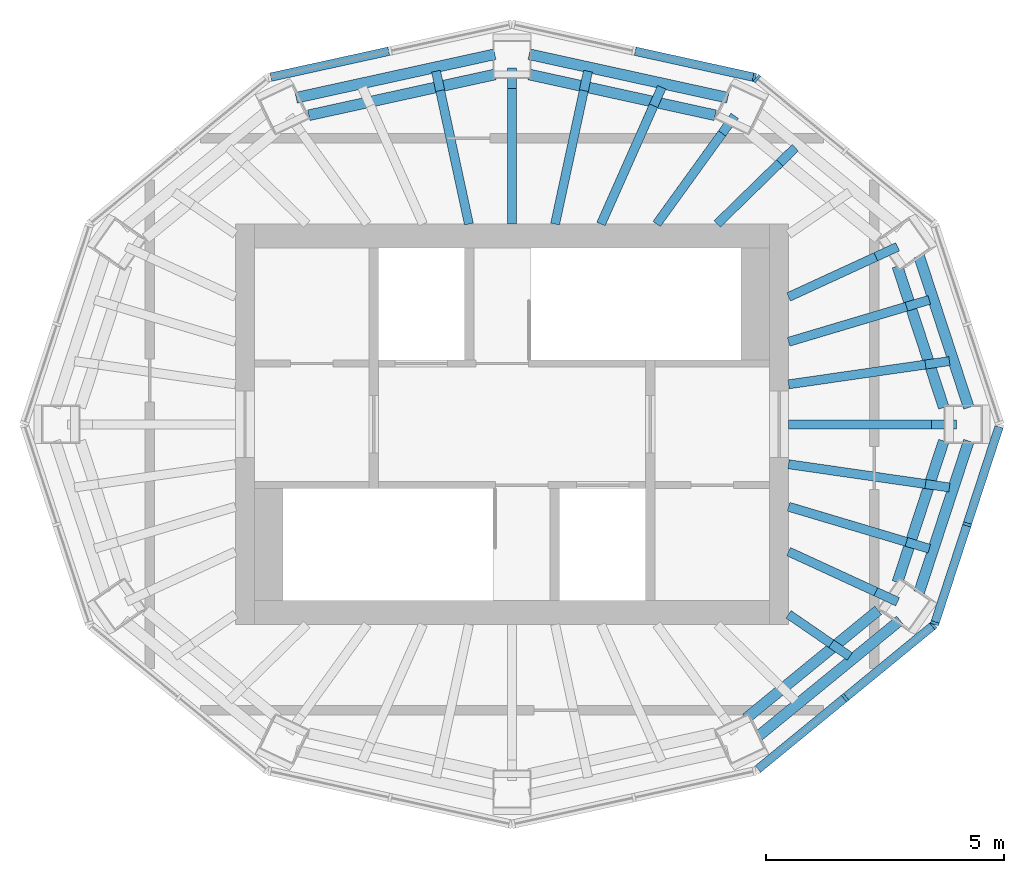
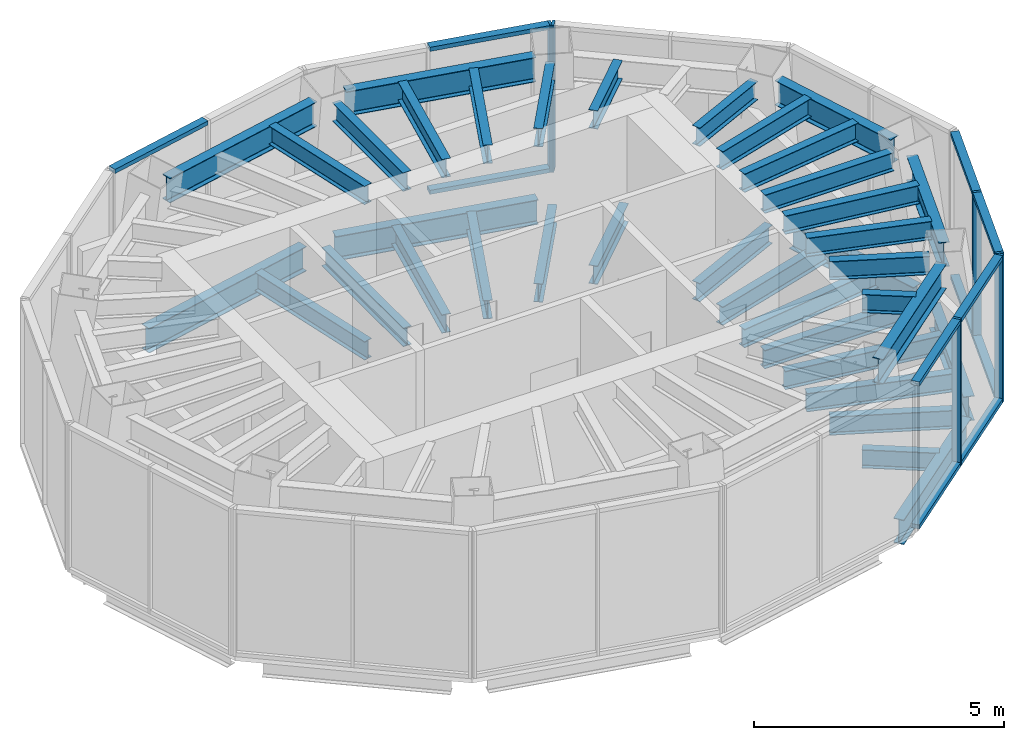
# One storey, part 3 of 6: 38 beams, 17 members, 5 elements without a shape of their own.
"""IFC4 building model written with IfcOpenShell, lengths in metres."""

from ifc_helpers import new_model, si_unit, direction, frame, origin, origin_2d, place, context, subcontext, project, spatial, rectangle, i_section, extrude, material, layer, layer_set, material_profile, profile_set, type_object, element, aggregate, save


model = new_model("IFC4")

# Units and contexts
model_context = context("Model", 3, precision=1e-05, world=origin(), true_north=direction((0.0, 1.0)))
body_context = subcontext(model_context, "Body", "Model", "MODEL_VIEW")
ifc_project = project(units=[si_unit("LENGTHUNIT", "METRE"), si_unit("AREAUNIT", "SQUARE_METRE"), si_unit("VOLUMEUNIT", "CUBIC_METRE"), si_unit("PLANEANGLEUNIT", "RADIAN"), si_unit("MASSUNIT", "GRAM", prefix="KILO")], contexts=[model_context])

# Site, building, storey
site_placement = place(None, origin())
site = spatial("IfcSite", under=ifc_project, at=site_placement, CompositionType="ELEMENT")
building_placement = place(site_placement, origin())
building = spatial("IfcBuilding", under=site, at=building_placement, Name="Siaravel Broadcast Tower", CompositionType="ELEMENT")
storey_placement = place(building_placement, frame((0.0, 0.0, 292.10009765625)))
storey = spatial("IfcBuildingStorey", under=building, at=storey_placement, Name="L71", CompositionType="ELEMENT", Elevation=292.10009765625)

# Curtain wall, member
ifc_material_1 = material(Name="Aluminium 6063-T6", Category="aluminium")
ifc_layer = layer(ifc_material_1, 0.179931640625)
ifc_layer_set = layer_set([ifc_layer], Name="Aluminium 6063-T6")
curtain_wall_type = type_object("IfcCurtainWallType", Name="Crown glass facet wall", PredefinedType="NOTDEFINED", material=ifc_layer_set)
curtain_wall_1_placement = place(storey_placement, origin())
curtain_wall_1 = element("IfcCurtainWall", 1, at=curtain_wall_1_placement, inside=storey, type_object=curtain_wall_type, Name="L71 Crown glass facet wall 02", PredefinedType="NOTDEFINED")
ifc_material_profile_1 = material_profile(ifc_material_1, rectangle(XDim=0.179931640625, YDim=0.06005859375, at=origin_2d()))
ifc_profile_set_1 = profile_set([ifc_material_profile_1], Name="Aluminium 6063-T6")
member_type_1 = type_object("IfcMemberType", Name="CW-CR mullion", PredefinedType="MULLION", material=ifc_profile_set_1)
member_1_placement = place(storey_placement, frame((5.135498046875, 7.248779296875, 0.0), z_axis=(0.0, 0.0, 1.0), x_axis=(-0.633723768, -0.773559427, 0.0)))
member_1 = element("IfcMember", 2, at=member_1_placement, type_object=member_type_1, Name="CW-CR mullion 3", PredefinedType="MULLION", context=body_context, shape_type="SweptSolid", body=[
    extrude(rectangle(XDim=0.179931640625, YDim=0.06005859375, at=origin_2d()), origin(), (0.0, 0.0, 1.0), 3.599853515625),
])
aggregate(curtain_wall_1, [member_1])

curtain_wall_2_placement = place(storey_placement, origin())
curtain_wall_2 = element("IfcCurtainWall", 3, at=curtain_wall_2_placement, inside=storey, type_object=curtain_wall_type, Name="L71 Crown glass facet wall 03", PredefinedType="NOTDEFINED")
member_2_placement = place(storey_placement, frame((5.0830078125, 7.2744140625, 0.0), z_axis=(0.0, 0.0, 1.0), x_axis=(-0.214398525, -0.976746268, 0.0)))
member_2 = element("IfcMember", 4, at=member_2_placement, type_object=member_type_1, Name="CW-CR mullion 1", PredefinedType="MULLION", context=body_context, shape_type="SweptSolid", body=[
    extrude(rectangle(XDim=0.179931640625, YDim=0.06005859375, at=origin_2d()), origin(), (0.0, 0.0, 1.0), 3.599853515625),
])

# Curtain wall, members
curtain_wall_3_placement = place(storey_placement, origin())
curtain_wall_3 = element("IfcCurtainWall", 5, at=curtain_wall_3_placement, inside=storey, type_object=curtain_wall_type, Name="L71 Crown glass facet wall 11", PredefinedType="NOTDEFINED")
member_3_placement = place(storey_placement, frame((6.9853515625, -5.7333984375, 0.0), z_axis=(0.0, 0.0, 1.0), x_axis=(-0.633723768, 0.773559427, 0.0)))
member_3 = element("IfcMember", 6, at=member_3_placement, type_object=member_type_1, Name="CW-CR mullion 2", PredefinedType="MULLION", context=body_context, shape_type="SweptSolid", body=[
    extrude(rectangle(XDim=0.179931640625, YDim=0.06005859375, at=origin_2d()), origin(), (0.0, 0.0, 1.0), 3.599853515625),
])
member_4_placement = place(storey_placement, frame((8.835205078125, -4.2177734375, 0.0), z_axis=(0.0, 0.0, 1.0), x_axis=(-0.633723768, 0.773559427, 0.0)))
member_4 = element("IfcMember", 7, at=member_4_placement, type_object=member_type_1, Name="CW-CR mullion 3", PredefinedType="MULLION", context=body_context, shape_type="SweptSolid", body=[
    extrude(rectangle(XDim=0.179931640625, YDim=0.06005859375, at=origin_2d()), origin(), (0.0, 0.0, 1.0), 3.599853515625),
])

curtain_wall_4_placement = place(storey_placement, origin())
curtain_wall_4 = element("IfcCurtainWall", 8, at=curtain_wall_4_placement, inside=storey, type_object=curtain_wall_type, Name="L71 Crown glass facet wall 12", PredefinedType="NOTDEFINED")
member_5_placement = place(storey_placement, frame((8.867919921875, -4.17041015625, 0.0), z_axis=(0.0, 0.0, 1.0), x_axis=(-0.950459599, 0.310848114, 0.0)))
member_5 = element("IfcMember", 9, at=member_5_placement, type_object=member_type_1, Name="CW-CR mullion 1", PredefinedType="MULLION", context=body_context, shape_type="SweptSolid", body=[
    extrude(rectangle(XDim=0.179931640625, YDim=0.06005859375, at=origin_2d()), origin(), (0.0, 0.0, 1.0), 3.599853515625),
])
member_6_placement = place(storey_placement, frame((9.545166015625, -2.099365234375, 0.0), z_axis=(0.0, 0.0, 1.0), x_axis=(-0.950459599, 0.310848114, 0.0)))
member_6 = element("IfcMember", 10, at=member_6_placement, type_object=member_type_1, Name="CW-CR mullion 2", PredefinedType="MULLION", context=body_context, shape_type="SweptSolid", body=[
    extrude(rectangle(XDim=0.179931640625, YDim=0.06005859375, at=origin_2d()), origin(), (0.0, 0.0, 1.0), 3.599853515625),
])

# Member
ifc_material_profile_2 = material_profile(ifc_material_1, rectangle(XDim=0.179931640625, YDim=0.10009765625, at=origin_2d()))
ifc_profile_set_2 = profile_set([ifc_material_profile_2], Name="Aluminium 6063-T6")
member_type_2 = type_object("IfcMemberType", Name="CW-CR transom", PredefinedType="USERDEFINED", material=ifc_profile_set_2)
member_7_placement = place(storey_placement, frame((5.0537109375, 7.28076171875, 0.0498046875), z_axis=(-0.976749771, 0.214382566, 0.0), x_axis=(-0.214382566, -0.976749771, 0.0)))
member_7 = element("IfcMember", 11, at=member_7_placement, type_object=member_type_2, Name="CW-CR transom 1", ObjectType="TRANSOM", PredefinedType="USERDEFINED", context=body_context, shape_type="SweptSolid", body=[
    extrude(rectangle(XDim=0.179931640625, YDim=0.10009765625, at=origin_2d()), origin(), (0.0, 0.0, 1.0), 2.527099609375),
])

member_8_placement = place(storey_placement, frame((5.0537109375, 7.28076171875, 3.5498046875), z_axis=(-0.976749771, 0.214382566, 0.0), x_axis=(-0.214382566, -0.976749771, 0.0)))
member_8 = element("IfcMember", 12, at=member_8_placement, type_object=member_type_2, Name="CW-CR transom 1", ObjectType="TRANSOM", PredefinedType="USERDEFINED", context=body_context, shape_type="SweptSolid", body=[
    extrude(rectangle(XDim=0.179931640625, YDim=0.10009765625, at=origin_2d()), origin(), (0.0, 0.0, 1.0), 2.527099609375),
])

aggregate(curtain_wall_2, [member_2, member_7, member_8])

# Curtain wall, member
curtain_wall_5_placement = place(storey_placement, origin())
curtain_wall_5 = element("IfcCurtainWall", 13, at=curtain_wall_5_placement, inside=storey, type_object=curtain_wall_type, Name="L71 Crown glass facet wall 04", PredefinedType="NOTDEFINED")
member_9_placement = place(storey_placement, frame((-2.58544921875, 7.822509765625, 3.5498046875), z_axis=(-0.976749771, -0.214382566, 0.0), x_axis=(0.214382566, -0.976749771, 0.0)))
member_9 = element("IfcMember", 14, at=member_9_placement, type_object=member_type_2, Name="CW-CR transom 2", ObjectType="TRANSOM", PredefinedType="USERDEFINED", context=body_context, shape_type="SweptSolid", body=[
    extrude(rectangle(XDim=0.179931640625, YDim=0.10009765625, at=origin_2d()), origin(), (0.0, 0.0, 1.0), 2.527099609375),
])
aggregate(curtain_wall_5, [member_9])

# Member
member_10_placement = place(storey_placement, frame((5.15869140625, -7.229736328125, 0.0498046875), z_axis=(0.773541895, 0.633745167, 0.0), x_axis=(-0.633745167, 0.773541895, 0.0)))
member_10 = element("IfcMember", 15, at=member_10_placement, type_object=member_type_2, Name="CW-CR transom 1", ObjectType="TRANSOM", PredefinedType="USERDEFINED", context=body_context, shape_type="SweptSolid", body=[
    extrude(rectangle(XDim=0.179931640625, YDim=0.10009765625, at=origin_2d()), origin(), (0.0, 0.0, 1.0), 2.33154296875),
])

member_11_placement = place(storey_placement, frame((5.15869140625, -7.229736328125, 3.5498046875), z_axis=(0.773541895, 0.633745167, 0.0), x_axis=(-0.633745167, 0.773541895, 0.0)))
member_11 = element("IfcMember", 16, at=member_11_placement, type_object=member_type_2, Name="CW-CR transom 1", ObjectType="TRANSOM", PredefinedType="USERDEFINED", context=body_context, shape_type="SweptSolid", body=[
    extrude(rectangle(XDim=0.179931640625, YDim=0.10009765625, at=origin_2d()), origin(), (0.0, 0.0, 1.0), 2.33154296875),
])

member_12_placement = place(storey_placement, frame((7.008544921875, -5.71435546875, 0.0498046875), z_axis=(0.773541895, 0.633745167, 0.0), x_axis=(-0.633745167, 0.773541895, 0.0)))
member_12 = element("IfcMember", 17, at=member_12_placement, type_object=member_type_2, Name="CW-CR transom 2", ObjectType="TRANSOM", PredefinedType="USERDEFINED", context=body_context, shape_type="SweptSolid", body=[
    extrude(rectangle(XDim=0.179931640625, YDim=0.10009765625, at=origin_2d()), origin(), (0.0, 0.0, 1.0), 2.33154296875),
])

member_13_placement = place(storey_placement, frame((7.008544921875, -5.71435546875, 3.5498046875), z_axis=(0.773541895, 0.633745167, 0.0), x_axis=(-0.633745167, 0.773541895, 0.0)))
member_13 = element("IfcMember", 18, at=member_13_placement, type_object=member_type_2, Name="CW-CR transom 2", ObjectType="TRANSOM", PredefinedType="USERDEFINED", context=body_context, shape_type="SweptSolid", body=[
    extrude(rectangle(XDim=0.179931640625, YDim=0.10009765625, at=origin_2d()), origin(), (0.0, 0.0, 1.0), 2.33154296875),
])

aggregate(curtain_wall_3, [member_3, member_4, member_10, member_11, member_12, member_13])

member_14_placement = place(storey_placement, frame((8.877197265625, -4.141845703125, 0.0498046875), z_axis=(0.310864969, 0.950454087, 0.0), x_axis=(-0.950454087, 0.310864969, 0.0)))
member_14 = element("IfcMember", 19, at=member_14_placement, type_object=member_type_2, Name="CW-CR transom 1", ObjectType="TRANSOM", PredefinedType="USERDEFINED", context=body_context, shape_type="SweptSolid", body=[
    extrude(rectangle(XDim=0.179931640625, YDim=0.10009765625, at=origin_2d()), origin(), (0.0, 0.0, 1.0), 2.118896484375),
])

member_15_placement = place(storey_placement, frame((8.877197265625, -4.141845703125, 3.5498046875), z_axis=(0.310864969, 0.950454087, 0.0), x_axis=(-0.950454087, 0.310864969, 0.0)))
member_15 = element("IfcMember", 20, at=member_15_placement, type_object=member_type_2, Name="CW-CR transom 1", ObjectType="TRANSOM", PredefinedType="USERDEFINED", context=body_context, shape_type="SweptSolid", body=[
    extrude(rectangle(XDim=0.179931640625, YDim=0.10009765625, at=origin_2d()), origin(), (0.0, 0.0, 1.0), 2.118896484375),
])

member_16_placement = place(storey_placement, frame((9.554443359375, -2.07080078125, 0.0498046875), z_axis=(0.310760877, 0.950488126, 0.0), x_axis=(-0.950488126, 0.310760877, 0.0)))
member_16 = element("IfcMember", 21, at=member_16_placement, type_object=member_type_2, Name="CW-CR transom 2", ObjectType="TRANSOM", PredefinedType="USERDEFINED", context=body_context, shape_type="SweptSolid", body=[
    extrude(rectangle(XDim=0.179931640625, YDim=0.10009765625, at=origin_2d()), origin(), (0.0, 0.0, 1.0), 2.118896484375),
])

member_17_placement = place(storey_placement, frame((9.554443359375, -2.07080078125, 3.5498046875), z_axis=(0.310760877, 0.950488126, 0.0), x_axis=(-0.950488126, 0.310760877, 0.0)))
member_17 = element("IfcMember", 22, at=member_17_placement, type_object=member_type_2, Name="CW-CR transom 2", ObjectType="TRANSOM", PredefinedType="USERDEFINED", context=body_context, shape_type="SweptSolid", body=[
    extrude(rectangle(XDim=0.179931640625, YDim=0.10009765625, at=origin_2d()), origin(), (0.0, 0.0, 1.0), 2.118896484375),
])

aggregate(curtain_wall_4, [member_5, member_6, member_14, member_15, member_16, member_17])

# Beams
ifc_material_2 = material(Name="Steel S355", Category="steel")
ifc_material_profile_3 = material_profile(ifc_material_2, i_section(OverallWidth=0.18994140625, OverallDepth=0.453369140625, WebThickness=0.008544921875, FlangeThickness=0.0126953125, FilletRadius=0.01025390625, at=origin_2d()))
ifc_profile_set_3 = profile_set([ifc_material_profile_3], Name="Steel S355")
beam_type_1 = type_object("IfcBeamType", Name="Crown radial beam UB 457x191x67", PredefinedType="BEAM", material=ifc_profile_set_3)
beam_1_placement = place(storey_placement, frame((9.323974609375, 0.0, -0.4267578125), z_axis=(-1.0, 0.0, 0.0), x_axis=(0.0, -1.0, 0.0)))
element("IfcBeam", 23, at=beam_1_placement, inside=storey, type_object=beam_type_1, Name="Crown radial beam 6-01", PredefinedType="BEAM", context=body_context, shape_type="SweptSolid", body=[
    extrude(i_section(OverallWidth=0.18994140625, OverallDepth=0.453369140625, WebThickness=0.008544921875, FlangeThickness=0.0126953125, FilletRadius=0.01025390625, at=origin_2d()), origin(), (0.0, 0.0, 1.0), 3.52392578125),
])
beam_2_placement = place(storey_placement, frame((9.172607421875, 1.32470703125, -0.4267578125), z_axis=(-0.989731961, -0.142935809, 0.0), x_axis=(0.142935809, -0.989731961, 0.0)))
element("IfcBeam", 24, at=beam_2_placement, inside=storey, type_object=beam_type_1, Name="Crown radial beam 6-02", PredefinedType="BEAM", context=body_context, shape_type="SweptSolid", body=[
    extrude(i_section(OverallWidth=0.18994140625, OverallDepth=0.453369140625, WebThickness=0.008544921875, FlangeThickness=0.0126953125, FilletRadius=0.01025390625, at=origin_2d()), origin(), (0.0, 0.0, 1.0), 3.407470703125),
])
beam_3_placement = place(storey_placement, frame((8.750244140625, 2.608642578125, -0.4267578125), z_axis=(-0.958309478, -0.285732295, 0.0), x_axis=(0.285732295, -0.958309478, 0.0)))
element("IfcBeam", 25, at=beam_3_placement, inside=storey, type_object=beam_type_1, Name="Crown radial beam 6-03", PredefinedType="BEAM", context=body_context, shape_type="SweptSolid", body=[
    extrude(i_section(OverallWidth=0.18994140625, OverallDepth=0.453369140625, WebThickness=0.008544921875, FlangeThickness=0.0126953125, FilletRadius=0.01025390625, at=origin_2d()), origin(), (0.0, 0.0, 1.0), 3.07861328125),
])
beam_4_placement = place(storey_placement, frame((8.086181640625, 3.721923828125, -0.4267578125), z_axis=(-0.908396142, -0.41811057, 0.0), x_axis=(0.41811057, -0.908396142, 0.0)))
element("IfcBeam", 26, at=beam_4_placement, inside=storey, type_object=beam_type_1, Name="Crown radial beam 6-04", PredefinedType="BEAM", context=body_context, shape_type="SweptSolid", body=[
    extrude(i_section(OverallWidth=0.18994140625, OverallDepth=0.453369140625, WebThickness=0.008544921875, FlangeThickness=0.0126953125, FilletRadius=0.01025390625, at=origin_2d()), origin(), (0.0, 0.0, 1.0), 2.5166015625),
])
beam_5_placement = place(storey_placement, frame((5.9404296875, 5.798828125, -0.4267578125), z_axis=(-0.715588169, -0.698522421, 0.0), x_axis=(0.698522421, -0.715588169, 0.0)))
element("IfcBeam", 27, at=beam_5_placement, inside=storey, type_object=beam_type_1, Name="Crown radial beam 6-06", PredefinedType="BEAM", context=body_context, shape_type="SweptSolid", body=[
    extrude(i_section(OverallWidth=0.18994140625, OverallDepth=0.453369140625, WebThickness=0.008544921875, FlangeThickness=0.0126953125, FilletRadius=0.01025390625, at=origin_2d()), origin(), (0.0, 0.0, 1.0), 2.2890625),
])
beam_6_placement = place(storey_placement, frame((4.6708984375, 6.46728515625, -0.4267578125), z_axis=(-0.585531984, -0.810649305, 0.0), x_axis=(0.810649305, -0.585531984, 0.0)))
element("IfcBeam", 28, at=beam_6_placement, inside=storey, type_object=beam_type_1, Name="Crown radial beam 6-07", PredefinedType="BEAM", context=body_context, shape_type="SweptSolid", body=[
    extrude(i_section(OverallWidth=0.18994140625, OverallDepth=0.453369140625, WebThickness=0.008544921875, FlangeThickness=0.0126953125, FilletRadius=0.01025390625, at=origin_2d()), origin(), (0.0, 0.0, 1.0), 2.796875),
])
beam_7_placement = place(storey_placement, frame((3.139892578125, 7.06640625, -0.4267578125), z_axis=(-0.406059026, -0.913846851, 0.0), x_axis=(0.913846851, -0.406059026, 0.0)))
element("IfcBeam", 29, at=beam_7_placement, inside=storey, type_object=beam_type_1, Name="Crown radial beam 6-08", PredefinedType="BEAM", context=body_context, shape_type="SweptSolid", body=[
    extrude(i_section(OverallWidth=0.18994140625, OverallDepth=0.453369140625, WebThickness=0.008544921875, FlangeThickness=0.0126953125, FilletRadius=0.01025390625, at=origin_2d()), origin(), (0.0, 0.0, 1.0), 3.13671875),
])
beam_8_placement = place(storey_placement, frame((1.59375, 7.40380859375, -0.4267578125), z_axis=(-0.210449833, -0.977604658, 0.0), x_axis=(0.977604658, -0.210449833, 0.0)))
element("IfcBeam", 30, at=beam_8_placement, inside=storey, type_object=beam_type_1, Name="Crown radial beam 6-09", PredefinedType="BEAM", context=body_context, shape_type="SweptSolid", body=[
    extrude(i_section(OverallWidth=0.18994140625, OverallDepth=0.453369140625, WebThickness=0.008544921875, FlangeThickness=0.0126953125, FilletRadius=0.01025390625, at=origin_2d()), origin(), (0.0, 0.0, 1.0), 3.27734375),
])
beam_9_placement = place(storey_placement, frame((0.0, 7.468994140625, -0.4267578125), z_axis=(0.0, -1.0, 0.0), x_axis=(1.0, 0.0, 0.0)))
element("IfcBeam", 31, at=beam_9_placement, inside=storey, type_object=beam_type_1, Name="Crown radial beam 6-10", PredefinedType="BEAM", context=body_context, shape_type="SweptSolid", body=[
    extrude(i_section(OverallWidth=0.18994140625, OverallDepth=0.453369140625, WebThickness=0.008544921875, FlangeThickness=0.0126953125, FilletRadius=0.01025390625, at=origin_2d()), origin(), (0.0, 0.0, 1.0), 3.26904296875),
])
beam_10_placement = place(storey_placement, frame((-1.59375, 7.40380859375, -0.4267578125), z_axis=(0.210449833, -0.977604658, 0.0), x_axis=(0.977604658, 0.210449833, 0.0)))
element("IfcBeam", 32, at=beam_10_placement, inside=storey, type_object=beam_type_1, Name="Crown radial beam 6-11", PredefinedType="BEAM", context=body_context, shape_type="SweptSolid", body=[
    extrude(i_section(OverallWidth=0.18994140625, OverallDepth=0.453369140625, WebThickness=0.008544921875, FlangeThickness=0.0126953125, FilletRadius=0.01025390625, at=origin_2d()), origin(), (0.0, 0.0, 1.0), 3.27734375),
])
beam_11_placement = place(storey_placement, frame((7.0830078125, -4.8681640625, -0.4267578125), z_axis=(-0.824101404, 0.566442297, 0.0), x_axis=(-0.566442297, -0.824101404, 0.0)))
element("IfcBeam", 33, at=beam_11_placement, inside=storey, type_object=beam_type_1, Name="Crown radial beam 6-33", PredefinedType="BEAM", context=body_context, shape_type="SweptSolid", body=[
    extrude(i_section(OverallWidth=0.18994140625, OverallDepth=0.453369140625, WebThickness=0.008544921875, FlangeThickness=0.0126953125, FilletRadius=0.01025390625, at=origin_2d()), origin(), (0.0, 0.0, 1.0), 1.556884765625),
])
beam_12_placement = place(storey_placement, frame((8.086181640625, -3.721923828125, -0.4267578125), z_axis=(-0.908396142, 0.41811057, 0.0), x_axis=(-0.41811057, -0.908396142, 0.0)))
element("IfcBeam", 34, at=beam_12_placement, inside=storey, type_object=beam_type_1, Name="Crown radial beam 6-34", PredefinedType="BEAM", context=body_context, shape_type="SweptSolid", body=[
    extrude(i_section(OverallWidth=0.18994140625, OverallDepth=0.453369140625, WebThickness=0.008544921875, FlangeThickness=0.0126953125, FilletRadius=0.01025390625, at=origin_2d()), origin(), (0.0, 0.0, 1.0), 2.5166015625),
])
beam_13_placement = place(storey_placement, frame((8.750244140625, -2.608642578125, -0.4267578125), z_axis=(-0.958309478, 0.285732295, 0.0), x_axis=(-0.285732295, -0.958309478, 0.0)))
element("IfcBeam", 35, at=beam_13_placement, inside=storey, type_object=beam_type_1, Name="Crown radial beam 6-35", PredefinedType="BEAM", context=body_context, shape_type="SweptSolid", body=[
    extrude(i_section(OverallWidth=0.18994140625, OverallDepth=0.453369140625, WebThickness=0.008544921875, FlangeThickness=0.0126953125, FilletRadius=0.01025390625, at=origin_2d()), origin(), (0.0, 0.0, 1.0), 3.07861328125),
])
beam_14_placement = place(storey_placement, frame((9.172607421875, -1.32470703125, -0.4267578125), z_axis=(-0.989731961, 0.142935809, 0.0), x_axis=(-0.142935809, -0.989731961, 0.0)))
element("IfcBeam", 36, at=beam_14_placement, inside=storey, type_object=beam_type_1, Name="Crown radial beam 6-36", PredefinedType="BEAM", context=body_context, shape_type="SweptSolid", body=[
    extrude(i_section(OverallWidth=0.18994140625, OverallDepth=0.453369140625, WebThickness=0.008544921875, FlangeThickness=0.0126953125, FilletRadius=0.01025390625, at=origin_2d()), origin(), (0.0, 0.0, 1.0), 3.407470703125),
])
beam_15_placement = place(storey_placement, frame((8.798583984375, 0.0, 3.373291015625), z_axis=(-1.0, 0.0, 0.0), x_axis=(0.0, -1.0, 0.0)))
element("IfcBeam", 37, at=beam_15_placement, inside=storey, type_object=beam_type_1, Name="Crown radial beam 7-01", PredefinedType="BEAM", context=body_context, shape_type="SweptSolid", body=[
    extrude(i_section(OverallWidth=0.18994140625, OverallDepth=0.453369140625, WebThickness=0.008544921875, FlangeThickness=0.0126953125, FilletRadius=0.01025390625, at=origin_2d()), origin(), (0.0, 0.0, 1.0), 2.99853515625),
])
beam_16_placement = place(storey_placement, frame((8.671142578125, 1.25244140625, 3.373291015625), z_axis=(-0.989724387, -0.142988243, 0.0), x_axis=(0.142988243, -0.989724387, 0.0)))
element("IfcBeam", 38, at=beam_16_placement, inside=storey, type_object=beam_type_1, Name="Crown radial beam 7-02", PredefinedType="BEAM", context=body_context, shape_type="SweptSolid", body=[
    extrude(i_section(OverallWidth=0.18994140625, OverallDepth=0.453369140625, WebThickness=0.008544921875, FlangeThickness=0.0126953125, FilletRadius=0.01025390625, at=origin_2d()), origin(), (0.0, 0.0, 1.0), 2.90087890625),
])
beam_17_placement = place(storey_placement, frame((8.271728515625, 2.466064453125, 3.373291015625), z_axis=(-0.958325049, -0.285680067, 0.0), x_axis=(0.285680067, -0.958325049, 0.0)))
element("IfcBeam", 39, at=beam_17_placement, inside=storey, type_object=beam_type_1, Name="Crown radial beam 7-03", PredefinedType="BEAM", context=body_context, shape_type="SweptSolid", body=[
    extrude(i_section(OverallWidth=0.18994140625, OverallDepth=0.453369140625, WebThickness=0.008544921875, FlangeThickness=0.0126953125, FilletRadius=0.01025390625, at=origin_2d()), origin(), (0.0, 0.0, 1.0), 2.5791015625),
])
beam_18_placement = place(storey_placement, frame((7.6298828125, 3.511962890625, 3.373291015625), z_axis=(-0.90838459, -0.418135668, 0.0), x_axis=(0.418135668, -0.90838459, 0.0)))
element("IfcBeam", 40, at=beam_18_placement, inside=storey, type_object=beam_type_1, Name="Crown radial beam 7-04", PredefinedType="BEAM", context=body_context, shape_type="SweptSolid", body=[
    extrude(i_section(OverallWidth=0.18994140625, OverallDepth=0.453369140625, WebThickness=0.008544921875, FlangeThickness=0.0126953125, FilletRadius=0.01025390625, at=origin_2d()), origin(), (0.0, 0.0, 1.0), 2.014404296875),
])
beam_19_placement = place(storey_placement, frame((5.615234375, 5.481689453125, 3.373291015625), z_axis=(-0.715506104, -0.698606481, 0.0), x_axis=(0.698606481, -0.715506104, 0.0)))
element("IfcBeam", 41, at=beam_19_placement, inside=storey, type_object=beam_type_1, Name="Crown radial beam 7-06", PredefinedType="BEAM", context=body_context, shape_type="SweptSolid", body=[
    extrude(i_section(OverallWidth=0.18994140625, OverallDepth=0.453369140625, WebThickness=0.008544921875, FlangeThickness=0.0126953125, FilletRadius=0.01025390625, at=origin_2d()), origin(), (0.0, 0.0, 1.0), 1.834716796875),
])
beam_20_placement = place(storey_placement, frame((4.40625, 6.1005859375, 3.373291015625), z_axis=(-0.585524771, -0.810654515, 0.0), x_axis=(0.810654515, -0.585524771, 0.0)))
element("IfcBeam", 42, at=beam_20_placement, inside=storey, type_object=beam_type_1, Name="Crown radial beam 7-07", PredefinedType="BEAM", context=body_context, shape_type="SweptSolid", body=[
    extrude(i_section(OverallWidth=0.18994140625, OverallDepth=0.453369140625, WebThickness=0.008544921875, FlangeThickness=0.0126953125, FilletRadius=0.01025390625, at=origin_2d()), origin(), (0.0, 0.0, 1.0), 2.344482421875),
])
beam_21_placement = place(storey_placement, frame((2.968017578125, 6.679443359375, 3.373291015625), z_axis=(-0.406080025, -0.91383752, 0.0), x_axis=(0.91383752, -0.406080025, 0.0)))
element("IfcBeam", 43, at=beam_21_placement, inside=storey, type_object=beam_type_1, Name="Crown radial beam 7-08", PredefinedType="BEAM", context=body_context, shape_type="SweptSolid", body=[
    extrude(i_section(OverallWidth=0.18994140625, OverallDepth=0.453369140625, WebThickness=0.008544921875, FlangeThickness=0.0126953125, FilletRadius=0.01025390625, at=origin_2d()), origin(), (0.0, 0.0, 1.0), 2.71337890625),
])
beam_22_placement = place(storey_placement, frame((1.50634765625, 6.998046875, 3.373291015625), z_axis=(-0.210431917, -0.977608515, 0.0), x_axis=(0.977608515, -0.210431917, 0.0)))
element("IfcBeam", 44, at=beam_22_placement, inside=storey, type_object=beam_type_1, Name="Crown radial beam 7-09", PredefinedType="BEAM", context=body_context, shape_type="SweptSolid", body=[
    extrude(i_section(OverallWidth=0.18994140625, OverallDepth=0.453369140625, WebThickness=0.008544921875, FlangeThickness=0.0126953125, FilletRadius=0.01025390625, at=origin_2d()), origin(), (0.0, 0.0, 1.0), 2.8623046875),
])
beam_23_placement = place(storey_placement, frame((0.0, 7.044189453125, 3.373291015625), z_axis=(0.0, -1.0, 0.0), x_axis=(1.0, 0.0, 0.0)))
element("IfcBeam", 45, at=beam_23_placement, inside=storey, type_object=beam_type_1, Name="Crown radial beam 7-10", PredefinedType="BEAM", context=body_context, shape_type="SweptSolid", body=[
    extrude(i_section(OverallWidth=0.18994140625, OverallDepth=0.453369140625, WebThickness=0.008544921875, FlangeThickness=0.0126953125, FilletRadius=0.01025390625, at=origin_2d()), origin(), (0.0, 0.0, 1.0), 2.84423828125),
])
beam_24_placement = place(storey_placement, frame((-1.50634765625, 6.998046875, 3.373291015625), z_axis=(0.210431917, -0.977608515, 0.0), x_axis=(0.977608515, 0.210431917, 0.0)))
element("IfcBeam", 46, at=beam_24_placement, inside=storey, type_object=beam_type_1, Name="Crown radial beam 7-11", PredefinedType="BEAM", context=body_context, shape_type="SweptSolid", body=[
    extrude(i_section(OverallWidth=0.18994140625, OverallDepth=0.453369140625, WebThickness=0.008544921875, FlangeThickness=0.0126953125, FilletRadius=0.01025390625, at=origin_2d()), origin(), (0.0, 0.0, 1.0), 2.8623046875),
])
beam_25_placement = place(storey_placement, frame((6.6953125, -4.601806640625, 3.373291015625), z_axis=(-0.824153388, 0.566366659, 0.0), x_axis=(-0.566366659, -0.824153388, 0.0)))
element("IfcBeam", 47, at=beam_25_placement, inside=storey, type_object=beam_type_1, Name="Crown radial beam 7-33", PredefinedType="BEAM", context=body_context, shape_type="SweptSolid", body=[
    extrude(i_section(OverallWidth=0.18994140625, OverallDepth=0.453369140625, WebThickness=0.008544921875, FlangeThickness=0.0126953125, FilletRadius=0.01025390625, at=origin_2d()), origin(), (0.0, 0.0, 1.0), 1.086181640625),
])
beam_26_placement = place(storey_placement, frame((7.6298828125, -3.511962890625, 3.373291015625), z_axis=(-0.90838459, 0.418135668, 0.0), x_axis=(-0.418135668, -0.90838459, 0.0)))
element("IfcBeam", 48, at=beam_26_placement, inside=storey, type_object=beam_type_1, Name="Crown radial beam 7-34", PredefinedType="BEAM", context=body_context, shape_type="SweptSolid", body=[
    extrude(i_section(OverallWidth=0.18994140625, OverallDepth=0.453369140625, WebThickness=0.008544921875, FlangeThickness=0.0126953125, FilletRadius=0.01025390625, at=origin_2d()), origin(), (0.0, 0.0, 1.0), 2.014404296875),
])
beam_27_placement = place(storey_placement, frame((8.271728515625, -2.466064453125, 3.373291015625), z_axis=(-0.958325049, 0.285680067, 0.0), x_axis=(-0.285680067, -0.958325049, 0.0)))
element("IfcBeam", 49, at=beam_27_placement, inside=storey, type_object=beam_type_1, Name="Crown radial beam 7-35", PredefinedType="BEAM", context=body_context, shape_type="SweptSolid", body=[
    extrude(i_section(OverallWidth=0.18994140625, OverallDepth=0.453369140625, WebThickness=0.008544921875, FlangeThickness=0.0126953125, FilletRadius=0.01025390625, at=origin_2d()), origin(), (0.0, 0.0, 1.0), 2.5791015625),
])
beam_28_placement = place(storey_placement, frame((8.671142578125, -1.25244140625, 3.373291015625), z_axis=(-0.989724387, 0.142988243, 0.0), x_axis=(-0.142988243, -0.989724387, 0.0)))
element("IfcBeam", 50, at=beam_28_placement, inside=storey, type_object=beam_type_1, Name="Crown radial beam 7-36", PredefinedType="BEAM", context=body_context, shape_type="SweptSolid", body=[
    extrude(i_section(OverallWidth=0.18994140625, OverallDepth=0.453369140625, WebThickness=0.008544921875, FlangeThickness=0.0126953125, FilletRadius=0.01025390625, at=origin_2d()), origin(), (0.0, 0.0, 1.0), 2.90087890625),
])
ifc_material_profile_4 = material_profile(ifc_material_2, i_section(OverallWidth=0.2275390625, OverallDepth=0.6025390625, WebThickness=0.010498046875, FlangeThickness=0.014892578125, FilletRadius=0.0126953125, at=origin_2d()))
ifc_profile_set_4 = profile_set([ifc_material_profile_4], Name="Steel S355")
beam_type_2 = type_object("IfcBeamType", Name="Crown ring beam UB 610x229x101", PredefinedType="SPANDREL", material=ifc_profile_set_4)
beam_29_placement = place(storey_placement, frame((9.57861328125, 0.3515625, -0.50146484375), z_axis=(-0.311684834, 0.950185542, 0.0), x_axis=(-0.950185542, -0.311684834, 0.0)))
element("IfcBeam", 51, at=beam_29_placement, inside=storey, type_object=beam_type_2, Name="Crown ring beam 6-01", PredefinedType="SPANDREL", context=body_context, shape_type="SweptSolid", body=[
    extrude(i_section(OverallWidth=0.2275390625, OverallDepth=0.6025390625, WebThickness=0.010498046875, FlangeThickness=0.014892578125, FilletRadius=0.0126953125, at=origin_2d()), origin(), (0.0, 0.0, 1.0), 3.33984375),
])
for number, where, z_axis, x_axis, name in (
    (52, (4.526123046875, 6.8466796875, -0.50146484375), (-0.976812149, 0.214098167, 0.0), (-0.214098167, -0.976812149, 0.0), "Crown ring beam 6-03"),
    (53, (-0.361328125, 7.759521484375, -0.50146484375), (-0.976812149, -0.214098167, 0.0), (0.214098167, -0.976812149, 0.0), "Crown ring beam 6-04"),
):
    element("IfcBeam", number, at=place(storey_placement, frame(where, z_axis=z_axis, x_axis=x_axis)), inside=storey, type_object=beam_type_2, Name=name, PredefinedType="SPANDREL", context=body_context, shape_type="SweptSolid", body=[
        extrude(i_section(OverallWidth=0.2275390625, OverallDepth=0.6025390625, WebThickness=0.010498046875, FlangeThickness=0.014892578125, FilletRadius=0.0126953125, at=origin_2d()), origin(), (0.0, 0.0, 1.0), 4.263671875),
    ])
beam_30_placement = place(storey_placement, frame((5.174072265625, -6.533203125, -0.50146484375), z_axis=(0.774119321, 0.633039712, 0.0), x_axis=(-0.633039712, 0.774119321, 0.0)))
element("IfcBeam", 54, at=beam_30_placement, inside=storey, type_object=beam_type_2, Name="Crown ring beam 6-11", PredefinedType="SPANDREL", context=body_context, shape_type="SweptSolid", body=[
    extrude(i_section(OverallWidth=0.2275390625, OverallDepth=0.6025390625, WebThickness=0.010498046875, FlangeThickness=0.014892578125, FilletRadius=0.0126953125, at=origin_2d()), origin(), (0.0, 0.0, 1.0), 3.826171875),
])
beam_31_placement = place(storey_placement, frame((8.53759765625, -3.525146484375, -0.50146484375), z_axis=(0.311684834, 0.950185542, 0.0), x_axis=(-0.950185542, 0.311684834, 0.0)))
element("IfcBeam", 55, at=beam_31_placement, inside=storey, type_object=beam_type_2, Name="Crown ring beam 6-12", PredefinedType="SPANDREL", context=body_context, shape_type="SweptSolid", body=[
    extrude(i_section(OverallWidth=0.2275390625, OverallDepth=0.6025390625, WebThickness=0.010498046875, FlangeThickness=0.014892578125, FilletRadius=0.0126953125, at=origin_2d()), origin(), (0.0, 0.0, 1.0), 3.33984375),
])
beam_32_placement = place(storey_placement, frame((9.053466796875, 0.3515625, 3.298583984375), z_axis=(-0.311621348, 0.950206365, 0.0), x_axis=(-0.950206365, -0.311621348, 0.0)))
element("IfcBeam", 56, at=beam_32_placement, inside=storey, type_object=beam_type_2, Name="Crown ring beam 7-01", PredefinedType="SPANDREL", context=body_context, shape_type="SweptSolid", body=[
    extrude(i_section(OverallWidth=0.2275390625, OverallDepth=0.6025390625, WebThickness=0.010498046875, FlangeThickness=0.014892578125, FilletRadius=0.0126953125, at=origin_2d()), origin(), (0.0, 0.0, 1.0), 3.118896484375),
])
for number, where, z_axis, x_axis, name in (
    (57, (4.261474609375, 6.47998046875, 3.298583984375), (-0.976804583, 0.214132685, 0.0), (-0.214132685, -0.976804583, 0.0), "Crown ring beam 7-03"),
    (58, (-0.361328125, 7.3349609375, 3.298583984375), (-0.976804583, -0.214132685, 0.0), (0.214132685, -0.976804583, 0.0), "Crown ring beam 7-04"),
):
    element("IfcBeam", number, at=place(storey_placement, frame(where, z_axis=z_axis, x_axis=x_axis)), inside=storey, type_object=beam_type_2, Name=name, PredefinedType="SPANDREL", context=body_context, shape_type="SweptSolid", body=[
        extrude(i_section(OverallWidth=0.2275390625, OverallDepth=0.6025390625, WebThickness=0.010498046875, FlangeThickness=0.014892578125, FilletRadius=0.0126953125, at=origin_2d()), origin(), (0.0, 0.0, 1.0), 3.99267578125),
    ])
beam_33_placement = place(storey_placement, frame((4.9091796875, -6.16650390625, 3.298583984375), z_axis=(0.77411532, 0.633044604, 0.0), x_axis=(-0.633044604, 0.77411532, 0.0)))
element("IfcBeam", 59, at=beam_33_placement, inside=storey, type_object=beam_type_2, Name="Crown ring beam 7-11", PredefinedType="SPANDREL", context=body_context, shape_type="SweptSolid", body=[
    extrude(i_section(OverallWidth=0.2275390625, OverallDepth=0.6025390625, WebThickness=0.010498046875, FlangeThickness=0.014892578125, FilletRadius=0.0126953125, at=origin_2d()), origin(), (0.0, 0.0, 1.0), 3.578857421875),
])
beam_34_placement = place(storey_placement, frame((8.08154296875, -3.315185546875, 3.298583984375), z_axis=(0.311621348, 0.950206365, 0.0), x_axis=(-0.950206365, 0.311621348, 0.0)))
element("IfcBeam", 60, at=beam_34_placement, inside=storey, type_object=beam_type_2, Name="Crown ring beam 7-12", PredefinedType="SPANDREL", context=body_context, shape_type="SweptSolid", body=[
    extrude(i_section(OverallWidth=0.2275390625, OverallDepth=0.6025390625, WebThickness=0.010498046875, FlangeThickness=0.014892578125, FilletRadius=0.0126953125, at=origin_2d()), origin(), (0.0, 0.0, 1.0), 3.118896484375),
])

save(model, "model.ifc")
